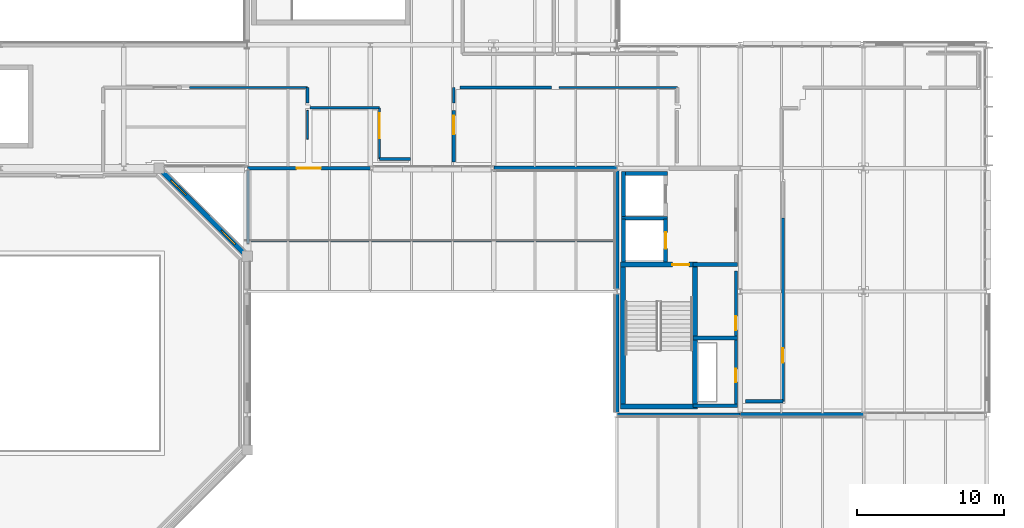
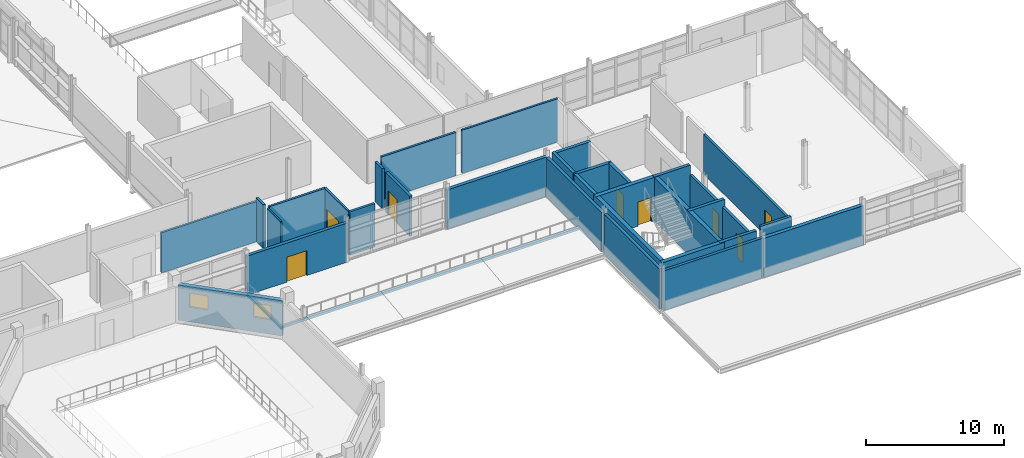
# One storey, part 121 of 151: 35 walls, 8 doors, 2 windows, 10 openings.
"""IFC4 building model written with IfcOpenShell, lengths in metres."""

import ifcopenshell
import ifcopenshell.guid

model = None  # the IFC model being written
_history = None  # IfcOwnerHistory: only IFC2X3 demands one
_inside = {}  # id of a spatial element -> (the spatial element, [elements in it])
_under = {}  # id of a project, library or spatial element -> (it, [spatial elements below it])
_declared = {}  # id of a project -> (the project, [libraries it declares])
_typed = {}  # id of a type object -> (the type object, [elements of that type])
_made_of = {}  # id of a material, layer set ... -> (it, [elements and type objects made of it])


def new_model(schema):
    """Start an empty IFC model of exactly this schema.

    Asked for "IFC4X3", IfcOpenShell would pick the latest addendum, in which some entities
    have other attributes; the version numbers below select the first issue.
    IFC2X3 requires an IfcOwnerHistory on every rooted entity: one is made here for all.
    """
    global model, _history
    if schema == "IFC4X3":
        model = ifcopenshell.file(schema_version=(4, 3, 0, 0))
    else:
        model = ifcopenshell.file(schema=schema)
    _inside.clear()
    _under.clear()
    _declared.clear()
    _typed.clear()
    _made_of.clear()
    _history = None
    if model.schema == "IFC2X3":
        org = make("IfcOrganization", Name="unknown")
        user = make(
            "IfcPersonAndOrganization",
            ThePerson=make("IfcPerson", FamilyName="unknown"),
            TheOrganization=org,
        )
        app = make(
            "IfcApplication",
            ApplicationDeveloper=org,
            Version="unknown",
            ApplicationFullName="unknown",
            ApplicationIdentifier="unknown",
        )
        _history = make(
            "IfcOwnerHistory",
            OwningUser=user,
            OwningApplication=app,
            ChangeAction="ADDED",
            CreationDate=0,
        )
    return model


def make(cls, **values):
    """One entity of the class cls with the attributes given. An attribute that is None is left unset."""
    return model.create_entity(
        cls, **{name: value for name, value in values.items() if value is not None}
    )


def rooted(cls, **values):
    """An entity with a GlobalId (a new one), such as an element, a storey or a relation."""
    return make(cls, GlobalId=ifcopenshell.guid.new(), OwnerHistory=_history, **values)


def si_unit(unit_type, name, prefix=None):
    """IfcSIUnit, for example si_unit("LENGTHUNIT", "METRE", prefix="MILLI")."""
    return make("IfcSIUnit", UnitType=unit_type, Prefix=prefix, Name=name)


def assignment(units):
    """IfcUnitAssignment: the units of a project."""
    return None if units is None else make("IfcUnitAssignment", Units=units)


def point(xyz):
    """IfcCartesianPoint."""
    return None if xyz is None else make("IfcCartesianPoint", Coordinates=xyz)


def direction(xyz):
    """IfcDirection."""
    return None if xyz is None else make("IfcDirection", DirectionRatios=xyz)


def frame(location, z_axis=None, x_axis=None):
    """IfcAxis2Placement3D, a coordinate frame: its origin and axes. An axis left out is left unset."""
    return make(
        "IfcAxis2Placement3D",
        Location=point(location),
        Axis=direction(z_axis),
        RefDirection=direction(x_axis),
    )


def frame_2d(location, x_axis=None):
    """IfcAxis2Placement2D, a coordinate frame in the plane: its origin and x axis."""
    return make(
        "IfcAxis2Placement2D", Location=point(location), RefDirection=direction(x_axis)
    )


def origin():
    """The frame at (0, 0, 0) with its axes left unset."""
    return frame((0.0, 0.0, 0.0))


def place(relative_to, where):
    """IfcLocalPlacement: puts the frame where relative to a parent placement (None: the world)."""
    return make(
        "IfcLocalPlacement", PlacementRelTo=relative_to, RelativePlacement=where
    )


def context(
    kind, dimensions, precision=None, world=None, true_north=None, identifier=None
):
    """IfcGeometricRepresentationContext, for example the 3D "Model" context."""
    return make(
        "IfcGeometricRepresentationContext",
        ContextIdentifier=identifier,
        ContextType=kind,
        CoordinateSpaceDimension=dimensions,
        Precision=precision,
        WorldCoordinateSystem=world,
        TrueNorth=true_north,
    )


def subcontext(parent, identifier, kind, view, scale=None):
    """IfcGeometricRepresentationSubContext, for example "Body" below "Model"."""
    return make(
        "IfcGeometricRepresentationSubContext",
        ContextIdentifier=identifier,
        ContextType=kind,
        ParentContext=parent,
        TargetScale=scale,
        TargetView=view,
    )


def project(units=None, contexts=None):
    """IfcProject with its units and contexts."""
    return rooted(
        "IfcProject",
        Name="project",
        RepresentationContexts=contexts,
        UnitsInContext=assignment(units),
    )


def spatial(cls, under=None, at=None, **own):
    """A site, building, storey or space (cls), placed at a placement, below another one or the project."""
    s = rooted(cls, ObjectPlacement=at, **own)
    if under is not None:
        _under.setdefault(under.id(), (under, []))[1].append(s)
    return s


def profile(cls, at=None, kind="AREA", **sizes):
    """A parametric profile (cls). Its sizes go by their IFC names, for example OverallWidth=200.0."""
    return make(cls, ProfileType=kind, Position=at, **sizes)


def rectangle(**sizes):
    """IfcRectangleProfileDef."""
    return profile("IfcRectangleProfileDef", **sizes)


def extrude(swept, where, along, depth):
    """IfcExtrudedAreaSolid: the profile swept, set in the frame where, extruded along a direction by depth."""
    return make(
        "IfcExtrudedAreaSolid",
        SweptArea=swept,
        Position=where,
        ExtrudedDirection=direction(along),
        Depth=depth,
    )


def shape(context_of_items, identifier, shape_type, items):
    """IfcShapeRepresentation: the items that make up one representation, for example the "Body"."""
    return make(
        "IfcShapeRepresentation",
        ContextOfItems=context_of_items,
        RepresentationIdentifier=identifier,
        RepresentationType=shape_type,
        Items=items,
    )


def material(Name=None, Category=None):
    """IfcMaterial."""
    return make("IfcMaterial", Name=Name, Category=Category)


def layer(
    of_material, thickness, ventilated=None, Name=None, Category=None, Priority=None
):
    """IfcMaterialLayer: one layer of a wall or slab, of a material (None: an air gap)."""
    return make(
        "IfcMaterialLayer",
        Material=of_material,
        LayerThickness=thickness,
        IsVentilated=ventilated,
        Name=Name,
        Category=Category,
        Priority=Priority,
    )


def layer_set(layers, Name=None):
    """IfcMaterialLayerSet."""
    return make("IfcMaterialLayerSet", MaterialLayers=layers, LayerSetName=Name)


def made_of(thing, what):
    """Note that an element or type object is made of a material, layer set ...; save() writes the relation."""
    if what is not None:
        _made_of.setdefault(what.id(), (what, []))[1].append(thing)
    return thing


def type_object(cls, material=None, **own):
    """A type object (cls), such as IfcWallType, which elements share."""
    return made_of(rooted(cls, **own), material)


def element(
    cls,
    number,
    at=None,
    inside=None,
    cuts=None,
    type_object=None,
    material=None,
    context=None,
    identifier="Body",
    shape_type=None,
    held_by="IfcProductDefinitionShape",
    body=None,
    shapes=None,
    **own,
):
    """One element of the class cls, such as IfcWall. Its Tag is "e" and its number.

    at: its placement. inside: the storey or other place that contains it. cuts: it is an
    opening in that element (IfcRelVoidsElement). A single representation is given by context,
    identifier, shape_type and body (its items); several are given by shapes. held_by: the class
    of the entity that holds the representations. save() writes the other relations.
    """
    e = rooted(cls, Tag="e%d" % number, ObjectPlacement=at, **own)
    if body is not None:
        shapes = [shape(context, identifier, shape_type, body)]
    if shapes is not None:
        e.Representation = make(held_by, Representations=shapes)
    if inside is not None:
        _inside.setdefault(inside.id(), (inside, []))[1].append(e)
    if cuts is not None:
        rooted(
            "IfcRelVoidsElement", RelatingBuildingElement=cuts, RelatedOpeningElement=e
        )
    if type_object is not None:
        _typed.setdefault(type_object.id(), (type_object, []))[1].append(e)
    return made_of(e, material)


def fill(opening, filler):
    """IfcRelFillsElement: the door or window that sits in an opening."""
    return rooted(
        "IfcRelFillsElement",
        RelatingOpeningElement=opening,
        RelatedBuildingElement=filler,
    )


def aggregate(whole, parts):
    """IfcRelAggregates: a whole, such as a stair, and the parts it consists of."""
    return rooted("IfcRelAggregates", RelatingObject=whole, RelatedObjects=parts)


def save(model, path):
    """Write the relations noted so far, then the file.

    IfcRelAggregates (storeys below a building ...), IfcRelContainedInSpatialStructure (elements
    in a storey), IfcRelDefinesByType, IfcRelAssociatesMaterial and IfcRelDeclares: one each for
    every whole, place, type object, material and project.
    """
    for whole, parts in _under.values():
        aggregate(whole, parts)
    for where, things in _inside.values():
        rooted(
            "IfcRelContainedInSpatialStructure",
            RelatedElements=things,
            RelatingStructure=where,
        )
    for kind, things in _typed.values():
        rooted("IfcRelDefinesByType", RelatedObjects=things, RelatingType=kind)
    for what, things in _made_of.values():
        rooted("IfcRelAssociatesMaterial", RelatedObjects=things, RelatingMaterial=what)
    for by, libraries in _declared.values():
        rooted("IfcRelDeclares", RelatingContext=by, RelatedDefinitions=libraries)
    model.write(path)


model = new_model("IFC4")

# Units and contexts
model_context = context("Model", 3, precision=1e-05, world=origin(), true_north=direction((0.0, 1.0)))
body_context = subcontext(model_context, "Body", "Model", "MODEL_VIEW")
ifc_project = project(units=[si_unit("LENGTHUNIT", "METRE"), si_unit("AREAUNIT", "SQUARE_METRE"), si_unit("VOLUMEUNIT", "CUBIC_METRE"), si_unit("PLANEANGLEUNIT", "RADIAN"), si_unit("MASSUNIT", "GRAM", prefix="KILO")], contexts=[model_context])

# Site, building, storey
site_placement = place(None, origin())
site = spatial("IfcSite", under=ifc_project, at=site_placement, CompositionType="ELEMENT")
building_placement = place(site_placement, origin())
building = spatial("IfcBuilding", under=site, at=building_placement, Name="Mersafa Astral City Hall", CompositionType="ELEMENT")
storey_placement = place(building_placement, frame((0.0, 0.0, 9.89990234375)))
storey = spatial("IfcBuildingStorey", under=building, at=storey_placement, Name="L02", CompositionType="ELEMENT", Elevation=9.89990234375)

# Wall, openings, windows
ifc_material_1 = material(Name="Concrete C40/50", Category="concrete")
ifc_layer_1 = layer(ifc_material_1, 0.340087890625, Name="Concrete C40/50")
ifc_layer_set_1 = layer_set([ifc_layer_1], Name="Concrete C40/50 — ENV-WAL-DRUM-340")
wall_type_1 = type_object("IfcWallType", Name="ENV-WAL-DRUM-340", PredefinedType="SHEAR", material=ifc_layer_set_1)
wall_1_placement = place(storey_placement, frame((92.177978515625, 19.422119140625, 0.0), z_axis=(0.0, 0.0, 1.0), x_axis=(-0.707106781187, 0.707106781187, 0.0)))
wall_1 = element("IfcWall", 1, at=wall_1_placement, inside=storey, type_object=wall_type_1, Name="L02 Limestone-clad exterior wall 162", PredefinedType="SHEAR", context=body_context, shape_type="SweptSolid", body=[
    extrude(rectangle(XDim=7.857177734375, YDim=0.340087890625, at=frame_2d((3.9287109375, 0.0))), origin(), (0.0, 0.0, 1.0), 3.132080078125),
])
opening_1_placement = place(wall_1_placement, frame((0.85009765625, 0.0, 1.300048828125)))
opening_1 = element("IfcOpeningElement", 2, at=opening_1_placement, cuts=wall_1, Name="Opening W-14", PredefinedType="OPENING", context=body_context, shape_type="SweptSolid", body=[
    extrude(rectangle(XDim=1.320068359375, YDim=1.25, at=frame_2d((0.66015625, 0.625))), frame((0.0, 0.179931640625, 0.0), z_axis=(0.0, -1.0, 0.0), x_axis=(1.0, 0.0, 0.0)), (0.0, 0.0, 1.0), 0.360107421875),
])
opening_2_placement = place(wall_1_placement, frame((5.58740234375, 0.0, 1.300048828125)))
opening_2 = element("IfcOpeningElement", 3, at=opening_2_placement, cuts=wall_1, Name="Opening W-15", PredefinedType="OPENING", context=body_context, shape_type="SweptSolid", body=[
    extrude(rectangle(XDim=1.419921875, YDim=1.25, at=frame_2d((0.7099609375, 0.625))), frame((0.0, 0.179931640625, 0.0), z_axis=(0.0, -1.0, 0.0), x_axis=(1.0, 0.0, 0.0)), (0.0, 0.0, 1.0), 0.360107421875),
])
ifc_material_2 = material(Name="Solar control low-e double glazing in bronze frame", Category="glass")
window_type_1 = type_object("IfcWindowType", Name="ENV-WIN-W-14", PartitioningType="SINGLE_PANEL", PredefinedType="WINDOW", material=ifc_material_2)
window_1_placement = place(opening_1_placement, origin())
window_1 = element("IfcWindow", 4, at=window_1_placement, inside=storey, type_object=window_type_1, Name="L02 Solar punched window 162-L", OverallHeight=1.25, OverallWidth=1.320068359375, PartitioningType="SINGLE_PANEL", PredefinedType="WINDOW", context=body_context, shape_type="SweptSolid", body=[
    extrude(rectangle(XDim=1.320068359375, YDim=1.25, at=frame_2d((0.66015625, 0.625))), frame((0.0, 0.030029296875, 0.0), z_axis=(0.0, -1.0, 0.0), x_axis=(1.0, 0.0, 0.0)), (0.0, 0.0, 1.0), 0.06005859375),
])
fill(opening_1, window_1)
window_type_2 = type_object("IfcWindowType", Name="ENV-WIN-W-15", PartitioningType="SINGLE_PANEL", PredefinedType="WINDOW", material=ifc_material_2)
window_2_placement = place(opening_2_placement, origin())
window_2 = element("IfcWindow", 5, at=window_2_placement, inside=storey, type_object=window_type_2, Name="L02 Solar punched window 162-R", OverallHeight=1.25, OverallWidth=1.419921875, PartitioningType="SINGLE_PANEL", PredefinedType="WINDOW", context=body_context, shape_type="SweptSolid", body=[
    extrude(rectangle(XDim=1.419921875, YDim=1.25, at=frame_2d((0.7099609375, 0.625))), frame((0.0, 0.030029296875, 0.0), z_axis=(0.0, -1.0, 0.0), x_axis=(1.0, 0.0, 0.0)), (0.0, 0.0, 1.0), 0.06005859375),
])
fill(opening_2, window_2)

# Walls
ifc_material_3 = material(Name="Precast concrete C40/50 insulated terracotta spandrel", Category="masonry")
ifc_layer_2 = layer(ifc_material_3, 0.235107421875, Name="Precast concrete C40/50 insulated terracotta spandrel")
ifc_layer_set_2 = layer_set([ifc_layer_2], Name="Precast concrete C40/50 insulated terracotta spandrel — ENV-WAL-EXT-235")
wall_type_2 = type_object("IfcWallType", Name="ENV-WAL-EXT-235", PredefinedType="STANDARD", material=ifc_layer_set_2)
wall_2_placement = place(storey_placement, frame((117.60791015625, 8.39990234375, 0.0), z_axis=(0.0, 0.0, 1.0), x_axis=(1.0, 0.0, 0.0)))
element("IfcWall", 6, at=wall_2_placement, inside=storey, type_object=wall_type_2, Name="L02 Limestone-clad exterior wall 167", PredefinedType="STANDARD", context=body_context, shape_type="SweptSolid", body=[
    extrude(rectangle(XDim=8.384033203125, YDim=0.235107421875, at=frame_2d((4.19189453125, 0.0))), origin(), (0.0, 0.0, 1.0), 3.502197265625),
])
ifc_layer_3 = layer(ifc_material_3, 0.25, Name="Precast concrete C40/50 insulated terracotta spandrel")
ifc_layer_set_3 = layer_set([ifc_layer_3], Name="Precast concrete C40/50 insulated terracotta spandrel — ENV-WAL-EXT-250")
wall_type_3 = type_object("IfcWallType", Name="ENV-WAL-EXT-250", PredefinedType="STANDARD", material=ifc_layer_set_3)
wall_3_placement = place(storey_placement, frame((117.60009765625, 16.6240234375, 0.0), z_axis=(0.0, 0.0, 1.0), x_axis=(0.0, -1.0, 0.0)))
element("IfcWall", 7, at=wall_3_placement, inside=storey, type_object=wall_type_3, Name="L02 Limestone-clad exterior wall 166", PredefinedType="STANDARD", context=body_context, shape_type="SweptSolid", body=[
    extrude(rectangle(XDim=8.05810546875, YDim=0.25, at=frame_2d((4.029052734375, 0.0))), origin(), (0.0, 0.0, 1.0), 3.56201171875),
])

# Wall, opening, door
ifc_material_4 = material(Name="Precast concrete C40/50 insulated limestone wall", Category="masonry")
ifc_layer_4 = layer(ifc_material_4, 0.264892578125, Name="Precast concrete C40/50 insulated limestone wall")
ifc_layer_set_4 = layer_set([ifc_layer_4], Name="Precast concrete C40/50 insulated limestone wall — ENV-WAL-EXT-265")
wall_type_4 = type_object("IfcWallType", Name="ENV-WAL-EXT-265", PredefinedType="STANDARD", material=ifc_layer_set_4)
wall_4_placement = place(storey_placement, frame((92.407958984375, 25.199951171875, 0.0), z_axis=(0.0, 0.0, 1.0), x_axis=(1.0, 0.0, 0.0)))
wall_4 = element("IfcWall", 8, at=wall_4_placement, inside=storey, type_object=wall_type_4, Name="L02 Terrace access facade wall TER-L02-V2S", PredefinedType="STANDARD", context=body_context, shape_type="SweptSolid", body=[
    extrude(rectangle(XDim=8.384033203125, YDim=0.264892578125, at=frame_2d((4.19189453125, 0.0))), origin(), (0.0, 0.0, 1.0), 3.47216796875),
])
opening_3_placement = place(wall_4_placement, frame((3.362060546875, 0.0, 0.0)))
opening_3 = element("IfcOpeningElement", 9, at=opening_3_placement, cuts=wall_4, Name="Opening TD-2", PredefinedType="OPENING", context=body_context, shape_type="SweptSolid", body=[
    extrude(rectangle(XDim=1.659912109375, YDim=2.219970703125, at=frame_2d((0.830078125, 1.10986328125))), frame((0.0, 0.142333984375, 0.0), z_axis=(0.0, -1.0, 0.0), x_axis=(1.0, 0.0, 0.0)), (0.0, 0.0, 1.0), 0.284912109375),
])
ifc_material_5 = material(Name="Anodised bronze glazed terrace door pair", Category="metal")
door_type_1 = type_object("IfcDoorType", Name="ENV-DR-TER-1660", OperationType="NOTDEFINED", PredefinedType="DOOR", material=ifc_material_5)
door_1_placement = place(opening_3_placement, origin())
door_1 = element("IfcDoor", 10, at=door_1_placement, inside=storey, type_object=door_type_1, Name="L02 Civic Roof Terrace Access Door TER-L02-V2S", OperationType="DOUBLE_DOOR_SINGLE_SWING", OverallHeight=2.219970703125, OverallWidth=1.659912109375, PredefinedType="DOOR", context=body_context, shape_type="SweptSolid", body=[
    extrude(rectangle(XDim=1.659912109375, YDim=2.219970703125, at=frame_2d((0.830078125, 1.10986328125))), frame((0.0, 0.02490234375, 0.0), z_axis=(0.0, -1.0, 0.0), x_axis=(1.0, 0.0, 0.0)), (0.0, 0.0, 1.0), 0.050048828125),
])
fill(opening_3, door_1)

# Walls
wall_5_placement = place(storey_placement, frame((117.60009765625, 25.033935546875, 0.0), z_axis=(0.0, 0.0, 1.0), x_axis=(0.0, -1.0, 0.0)))
element("IfcWall", 11, at=wall_5_placement, inside=storey, type_object=wall_type_4, Name="L02 Limestone-clad exterior wall 165", PredefinedType="STANDARD", context=body_context, shape_type="SweptSolid", body=[
    extrude(rectangle(XDim=8.057861328125, YDim=0.264892578125, at=frame_2d((4.02880859375, 0.0))), origin(), (0.0, 0.0, 1.0), 3.47216796875),
])
ifc_layer_5 = layer(ifc_material_4, 0.280029296875, Name="Precast concrete C40/50 insulated limestone wall")
ifc_layer_set_5 = layer_set([ifc_layer_5], Name="Precast concrete C40/50 insulated limestone wall — ENV-WAL-EXT-280")
wall_type_5 = type_object("IfcWallType", Name="ENV-WAL-EXT-280", PredefinedType="STANDARD", material=ifc_layer_set_5)
wall_6_placement = place(storey_placement, frame((109.2080078125, 25.199951171875, 0.0), z_axis=(0.0, 0.0, 1.0), x_axis=(1.0, 0.0, 0.0)))
element("IfcWall", 12, at=wall_6_placement, inside=storey, type_object=wall_type_5, Name="L02 Limestone-clad exterior wall 164", PredefinedType="STANDARD", context=body_context, shape_type="SweptSolid", body=[
    extrude(rectangle(XDim=8.384033203125, YDim=0.280029296875, at=frame_2d((4.19189453125, 0.0))), origin(), (0.0, 0.0, 1.0), 3.47216796875),
])
ifc_layer_6 = layer(ifc_material_4, 0.31005859375, Name="Precast concrete C40/50 insulated limestone wall")
ifc_layer_set_6 = layer_set([ifc_layer_6], Name="Precast concrete C40/50 insulated limestone wall — ENV-WAL-EXT-310")
wall_type_6 = type_object("IfcWallType", Name="ENV-WAL-EXT-310", PredefinedType="STANDARD", material=ifc_layer_set_6)
wall_7_placement = place(storey_placement, frame((126.008056640625, 8.39990234375, 0.0), z_axis=(0.0, 0.0, 1.0), x_axis=(1.0, 0.0, 0.0)))
element("IfcWall", 13, at=wall_7_placement, inside=storey, type_object=wall_type_6, Name="L02 Limestone-clad exterior wall 168", PredefinedType="STANDARD", context=body_context, shape_type="SweptSolid", body=[
    extrude(rectangle(XDim=8.384033203125, YDim=0.31005859375, at=frame_2d((4.19189453125, 0.0))), origin(), (0.0, 0.0, 1.0), 3.47216796875),
])
ifc_material_6 = material(Name="Precast concrete C40/50 parapet", Category="concrete")
ifc_layer_7 = layer(ifc_material_6, 0.199951171875, Name="Precast concrete C40/50 parapet")
ifc_layer_set_7 = layer_set([ifc_layer_7], Name="Precast concrete C40/50 parapet — ENV-WAL-PAR-200")
wall_type_7 = type_object("IfcWallType", Name="ENV-WAL-PAR-200", PredefinedType="PARAPET", material=ifc_layer_set_7)
wall_8_placement = place(storey_placement, frame((92.260009765625, 20.27001953125, 0.0), z_axis=(0.0, 0.0, 1.0), x_axis=(1.0, 0.0, 0.0)))
element("IfcWall", 14, at=wall_8_placement, inside=storey, type_object=wall_type_7, Name="L02 Terrace stone kerb parapet 1", PredefinedType="PARAPET", context=body_context, shape_type="SweptSolid", body=[
    extrude(rectangle(XDim=25.199951171875, YDim=0.199951171875, at=frame_2d((12.60009765625, 0.0))), origin(), (0.0, 0.0, 1.0), 0.22021484375),
])
wall_9_placement = place(storey_placement, frame((92.469970703125, 25.06005859375, 0.0), z_axis=(0.0, 0.0, 1.0), x_axis=(0.0, -1.0, 0.0)))
element("IfcWall", 15, at=wall_9_placement, inside=storey, type_object=wall_type_7, Name="L02 Terrace stone kerb parapet 2", PredefinedType="PARAPET", context=body_context, shape_type="SweptSolid", body=[
    extrude(rectangle(XDim=5.0, YDim=0.199951171875, at=frame_2d((2.5, 0.0))), origin(), (0.0, 0.0, 1.0), 0.22021484375),
])
ifc_layer_8 = layer(ifc_material_1, 0.260009765625, Name="Concrete C40/50")
ifc_layer_set_8 = layer_set([ifc_layer_8], Name="Concrete C40/50 — INT-WAL-CORE-260")
wall_type_8 = type_object("IfcWallType", Name="INT-WAL-CORE-260", PredefinedType="SHEAR", material=ifc_layer_set_8)
wall_10_placement = place(storey_placement, frame((117.9150390625, 21.784912109375, 0.0), z_axis=(0.0, 0.0, 1.0), x_axis=(1.0, 0.0, 0.0)))
element("IfcWall", 16, at=wall_10_placement, inside=storey, type_object=wall_type_8, Name="L02 Lift LF7 north shaft wall", PredefinedType="SHEAR", context=body_context, shape_type="SweptSolid", body=[
    extrude(rectangle(XDim=3.1298828125, YDim=0.260009765625, at=frame_2d((1.56494140625, 0.0))), origin(), (0.0, 0.0, 1.0), 3.840087890625),
])
wall_11_placement = place(storey_placement, frame((118.044921875, 18.797119140625, 0.0), z_axis=(0.0, 0.0, 1.0), x_axis=(0.0, 1.0, 0.0)))
element("IfcWall", 17, at=wall_11_placement, inside=storey, type_object=wall_type_8, Name="L02 Lift LF7 back shaft wall", PredefinedType="SHEAR", context=body_context, shape_type="SweptSolid", body=[
    extrude(rectangle(XDim=2.947998046875, YDim=0.260009765625, at=frame_2d((1.47412109375, 0.0))), origin(), (0.0, 0.0, 1.0), 3.840087890625),
])

# Wall, opening, door
wall_12_placement = place(storey_placement, frame((120.9150390625, 18.797119140625, 0.0), z_axis=(0.0, 0.0, 1.0), x_axis=(0.0, 1.0, 0.0)))
wall_12 = element("IfcWall", 18, at=wall_12_placement, inside=storey, type_object=wall_type_8, Name="L02 Lift LF7 front shaft wall", PredefinedType="SHEAR", context=body_context, shape_type="SweptSolid", body=[
    extrude(rectangle(XDim=2.947998046875, YDim=0.260009765625, at=frame_2d((1.47412109375, 0.0))), origin(), (0.0, 0.0, 1.0), 3.840087890625),
])
opening_4_placement = place(wall_12_placement, frame((0.924072265625, 0.0, 0.0)))
opening_4 = element("IfcOpeningElement", 19, at=opening_4_placement, cuts=wall_12, Name="Opening LD-1", PredefinedType="OPENING", context=body_context, shape_type="SweptSolid", body=[
    extrude(rectangle(XDim=1.10009765625, YDim=2.14990234375, at=frame_2d((0.550048828125, 1.074951171875))), frame((0.0, 0.139892578125, 0.0), z_axis=(0.0, -1.0, 0.0), x_axis=(1.0, 0.0, 0.0)), (0.0, 0.0, 1.0), 0.280029296875),
])
ifc_material_7 = material(Name="Stainless steel sliding lift landing door", Category="steel")
door_type_2 = type_object("IfcDoorType", Name="INT-DR-LIFT-LD1", OperationType="NOTDEFINED", PredefinedType="DOOR", material=ifc_material_7)
door_2_placement = place(opening_4_placement, origin())
door_2 = element("IfcDoor", 20, at=door_2_placement, inside=storey, type_object=door_type_2, Name="Elevator LF7 Sliding Landing Door L02", OperationType="DOUBLE_DOOR_SLIDING", OverallHeight=2.14990234375, OverallWidth=1.10009765625, PredefinedType="DOOR", context=body_context, shape_type="SweptSolid", body=[
    extrude(rectangle(XDim=1.10009765625, YDim=2.14990234375, at=frame_2d((0.550048828125, 1.074951171875))), frame((0.0, 0.02490234375, 0.0), z_axis=(0.0, -1.0, 0.0), x_axis=(1.0, 0.0, 0.0)), (0.0, 0.0, 1.0), 0.050048828125),
])
fill(opening_4, door_2)

# Walls
wall_13_placement = place(storey_placement, frame((117.9150390625, 24.8349609375, 0.0), z_axis=(0.0, 0.0, 1.0), x_axis=(1.0, 0.0, 0.0)))
element("IfcWall", 21, at=wall_13_placement, inside=storey, type_object=wall_type_8, Name="L02 Lift LF10 north shaft wall", PredefinedType="SHEAR", context=body_context, shape_type="SweptSolid", body=[
    extrude(rectangle(XDim=3.1298828125, YDim=0.260009765625, at=frame_2d((1.56494140625, 0.0))), origin(), (0.0, 0.0, 1.0), 3.840087890625),
])
wall_14_placement = place(storey_placement, frame((118.044921875, 21.905029296875, 0.0), z_axis=(0.0, 0.0, 1.0), x_axis=(0.0, 1.0, 0.0)))
element("IfcWall", 22, at=wall_14_placement, inside=storey, type_object=wall_type_8, Name="L02 Lift LF10 back shaft wall", PredefinedType="SHEAR", context=body_context, shape_type="SweptSolid", body=[
    extrude(rectangle(XDim=3.06005859375, YDim=0.260009765625, at=frame_2d((1.530029296875, 0.0))), origin(), (0.0, 0.0, 1.0), 3.840087890625),
])
for number, where, z_axis, x_axis, name in (
    (23, (122.764892578125, 9.02001953125, 0.0), (0.0, 0.0, 1.0), (1.0, 0.0, 0.0), "L02 Core K5 riser south wall"),
    (24, (122.764892578125, 13.635009765625, 0.0), (0.0, 0.0, 1.0), (1.0, 0.0, 0.0), "L02 Core K5 riser-restroom divider wall"),
    (25, (122.764892578125, 18.635009765625, 0.0), (0.0, 0.0, 1.0), (1.0, 0.0, 0.0), "L02 Core K5 restroom-lobby divider wall"),
):
    element("IfcWall", number, at=place(storey_placement, frame(where, z_axis=z_axis, x_axis=x_axis)), inside=storey, type_object=wall_type_8, Name=name, PredefinedType="SHEAR", context=body_context, shape_type="SweptSolid", body=[
        extrude(rectangle(XDim=3.03515625, YDim=0.260009765625, at=frame_2d((1.517578125, 0.0))), origin(), (0.0, 0.0, 1.0), 3.840087890625),
    ])
ifc_layer_9 = layer(ifc_material_1, 0.340087890625, Name="Concrete C40/50")
ifc_layer_set_9 = layer_set([ifc_layer_9], Name="Concrete C40/50 — INT-WAL-CORE-340")
wall_type_9 = type_object("IfcWallType", Name="INT-WAL-CORE-340", PredefinedType="SHEAR", material=ifc_layer_set_9)
for number, where, z_axis, x_axis, name in (
    (26, (118.0048828125, 8.804931640625, 0.0), (0.0, 0.0, 1.0), (0.0, 1.0, 0.0), "L02 Core K5 stair west shear wall"),
    (27, (122.9150390625, 8.804931640625, 0.0), (0.0, 0.0, 1.0), (0.0, 1.0, 0.0), "L02 Core K5 stair east shear wall"),
):
    element("IfcWall", number, at=place(storey_placement, frame(where, z_axis=z_axis, x_axis=x_axis)), inside=storey, type_object=wall_type_9, Name=name, PredefinedType="SHEAR", context=body_context, shape_type="SweptSolid", body=[
        extrude(rectangle(XDim=9.989990234375, YDim=0.340087890625, at=frame_2d((4.9951171875, 0.0))), origin(), (0.0, 0.0, 1.0), 3.840087890625),
    ])
wall_15_placement = place(storey_placement, frame((117.8349609375, 8.97509765625, 0.0), z_axis=(0.0, 0.0, 1.0), x_axis=(1.0, 0.0, 0.0)))
element("IfcWall", 28, at=wall_15_placement, inside=storey, type_object=wall_type_9, Name="L02 Core K5 stair south shear wall", PredefinedType="SHEAR", context=body_context, shape_type="SweptSolid", body=[
    extrude(rectangle(XDim=5.25, YDim=0.340087890625, at=frame_2d((2.625, 0.0))), origin(), (0.0, 0.0, 1.0), 3.840087890625),
])

# Wall, opening, door
wall_16_placement = place(storey_placement, frame((117.8349609375, 18.625, 0.0), z_axis=(0.0, 0.0, 1.0), x_axis=(1.0, 0.0, 0.0)))
wall_16 = element("IfcWall", 29, at=wall_16_placement, inside=storey, type_object=wall_type_9, Name="L02 Core K5 stair-lobby fire wall", PredefinedType="SHEAR", context=body_context, shape_type="SweptSolid", body=[
    extrude(rectangle(XDim=5.25, YDim=0.340087890625, at=frame_2d((2.625, 0.0))), origin(), (0.0, 0.0, 1.0), 3.840087890625),
])
opening_5_placement = place(wall_16_placement, frame((3.534912109375, 0.0, 0.0)))
opening_5 = element("IfcOpeningElement", 30, at=opening_5_placement, cuts=wall_16, Name="Opening CD-1", PredefinedType="OPENING", context=body_context, shape_type="SweptSolid", body=[
    extrude(rectangle(XDim=1.14990234375, YDim=2.14990234375, at=frame_2d((0.574951171875, 1.074951171875))), frame((0.0, 0.179931640625, 0.0), z_axis=(0.0, -1.0, 0.0), x_axis=(1.0, 0.0, 0.0)), (0.0, 0.0, 1.0), 0.360107421875),
])
ifc_material_8 = material(Name="Fire-rated steel stair door", Category="steel")
door_type_3 = type_object("IfcDoorType", Name="INT-DR-STAIR-FD90-1150", OperationType="NOTDEFINED", PredefinedType="DOOR", material=ifc_material_8)
door_3_placement = place(opening_5_placement, origin())
door_3 = element("IfcDoor", 31, at=door_3_placement, inside=storey, type_object=door_type_3, Name="L02 Protected Stair ST5 Door", OperationType="SINGLE_SWING_LEFT", OverallHeight=2.14990234375, OverallWidth=1.14990234375, PredefinedType="DOOR", context=body_context, shape_type="SweptSolid", body=[
    extrude(rectangle(XDim=1.14990234375, YDim=2.14990234375, at=frame_2d((0.574951171875, 1.074951171875))), frame((0.0, 0.02490234375, 0.0), z_axis=(0.0, -1.0, 0.0), x_axis=(1.0, 0.0, 0.0)), (0.0, 0.0, 1.0), 0.050048828125),
])
fill(opening_5, door_3)

# Walls
ifc_material_9 = material(Name="Acoustic steel-stud gypsum partition", Category="steel")
ifc_layer_10 = layer(ifc_material_9, 0.1201171875, Name="Acoustic steel-stud gypsum partition")
ifc_layer_set_10 = layer_set([ifc_layer_10], Name="Acoustic steel-stud gypsum partition — INT-WAL-PART-EI30-120")
wall_type_10 = type_object("IfcWallType", Name="INT-WAL-PART-EI30-120", PredefinedType="STANDARD", material=ifc_layer_set_10)
wall_17_placement = place(storey_placement, frame((96.510009765625, 29.139892578125, -0.00390625), z_axis=(0.0, 0.0, 1.0), x_axis=(0.0, -1.0, 0.0)))
element("IfcWall", 32, at=wall_17_placement, inside=storey, type_object=wall_type_10, Name="L02 Interior partition wall 527", PredefinedType="STANDARD", context=body_context, shape_type="SweptSolid", body=[
    extrude(rectangle(XDim=1.96435546875, YDim=0.1201171875, at=frame_2d((0.982177734375, 0.0))), origin(), (0.0, 0.0, 1.0), 3.843994140625),
])
ifc_material_10 = material(Name="Fire-rated gypsum stud partition", Category="gypsum")
ifc_layer_11 = layer(ifc_material_10, 0.1650390625, Name="Fire-rated gypsum stud partition")
ifc_layer_set_11 = layer_set([ifc_layer_11], Name="Fire-rated gypsum stud partition — INT-WAL-PART-EI60-165")
wall_type_11 = type_object("IfcWallType", Name="INT-WAL-PART-EI60-165", PredefinedType="STANDARD", material=ifc_layer_set_11)
wall_18_placement = place(storey_placement, frame((113.659912109375, 30.699951171875, -0.00390625), z_axis=(0.0, 0.0, 1.0), x_axis=(1.0, 0.0, 0.0)))
element("IfcWall", 33, at=wall_18_placement, inside=storey, type_object=wall_type_11, Name="L02 Interior partition wall 511", PredefinedType="STANDARD", context=body_context, shape_type="SweptSolid", body=[
    extrude(rectangle(XDim=8.050048828125, YDim=0.1650390625, at=frame_2d((4.02490234375, 0.0))), origin(), (0.0, 0.0, 1.0), 3.843994140625),
])
wall_19_placement = place(storey_placement, frame((88.4599609375, 30.699951171875, -0.00390625), z_axis=(0.0, 0.0, 1.0), x_axis=(1.0, 0.0, 0.0)))
element("IfcWall", 34, at=wall_19_placement, inside=storey, type_object=wall_type_11, Name="L02 Interior partition wall 531", PredefinedType="STANDARD", context=body_context, shape_type="SweptSolid", body=[
    extrude(rectangle(XDim=8.050048828125, YDim=0.1650390625, at=frame_2d((4.02490234375, 0.0))), origin(), (0.0, 0.0, 1.0), 3.56591796875),
])

# Wall, opening, door
wall_20_placement = place(storey_placement, frame((101.419921875, 29.31005859375, -0.00390625), z_axis=(0.0, 0.0, 1.0), x_axis=(0.0, -1.0, 0.0)))
wall_20 = element("IfcWall", 35, at=wall_20_placement, inside=storey, type_object=wall_type_11, Name="L02 Interior partition wall 535", PredefinedType="STANDARD", context=body_context, shape_type="SweptSolid", body=[
    extrude(rectangle(XDim=3.489990234375, YDim=0.1650390625, at=frame_2d((1.7451171875, 0.0))), origin(), (0.0, 0.0, 1.0), 3.843994140625),
])
opening_6_placement = place(wall_20_placement, frame((0.360107421875, 0.0, 0.0)))
opening_6 = element("IfcOpeningElement", 36, at=opening_6_placement, cuts=wall_20, Name="Opening D-18", PredefinedType="OPENING", context=body_context, shape_type="SweptSolid", body=[
    extrude(rectangle(XDim=1.719970703125, YDim=2.139892578125, at=frame_2d((0.85986328125, 1.06982421875))), frame((0.0, 0.092529296875, 0.0), z_axis=(0.0, -1.0, 0.0), x_axis=(1.0, 0.0, 0.0)), (0.0, 0.0, 1.0), 0.18505859375),
])
ifc_material_11 = material(Name="Cedar veneered acoustic fire-rated timber door", Category="wood")
door_type_4 = type_object("IfcDoorType", Name="INT-DR-RM-D-18", OperationType="NOTDEFINED", PredefinedType="DOOR", material=ifc_material_11)
door_4_placement = place(opening_6_placement, origin())
door_4 = element("IfcDoor", 37, at=door_4_placement, inside=storey, type_object=door_type_4, Name="L02 Library Stack L02-32 Entrance Door", OperationType="SINGLE_SWING_RIGHT", OverallHeight=2.139892578125, OverallWidth=1.719970703125, PredefinedType="DOOR", context=body_context, shape_type="SweptSolid", body=[
    extrude(rectangle(XDim=1.719970703125, YDim=2.139892578125, at=frame_2d((0.85986328125, 1.06982421875))), frame((0.0, 0.02490234375, 0.0), z_axis=(0.0, -1.0, 0.0), x_axis=(1.0, 0.0, 0.0)), (0.0, 0.0, 1.0), 0.050048828125),
])
fill(opening_6, door_4)

# Walls
ifc_material_12 = material(Name="Acoustic twin-stud gypsum partition", Category="gypsum")
ifc_layer_12 = layer(ifc_material_12, 0.179931640625, Name="Acoustic twin-stud gypsum partition")
ifc_layer_set_12 = layer_set([ifc_layer_12], Name="Acoustic twin-stud gypsum partition — INT-WAL-PART-EI60-180")
wall_type_12 = type_object("IfcWallType", Name="INT-WAL-PART-EI60-180", PredefinedType="STANDARD", material=ifc_layer_set_12)
wall_21_placement = place(storey_placement, frame((106.89990234375, 30.699951171875, -0.00390625), z_axis=(0.0, 0.0, 1.0), x_axis=(1.0, 0.0, 0.0)))
element("IfcWall", 38, at=wall_21_placement, inside=storey, type_object=wall_type_12, Name="L02 Interior partition wall 510", PredefinedType="STANDARD", context=body_context, shape_type="SweptSolid", body=[
    extrude(rectangle(XDim=6.239990234375, YDim=0.179931640625, at=frame_2d((3.1201171875, 0.0))), origin(), (0.0, 0.0, 1.0), 3.843994140625),
])
wall_22_placement = place(storey_placement, frame((96.68994140625, 29.31005859375, -0.00390625), z_axis=(0.0, 0.0, 1.0), x_axis=(1.0, 0.0, 0.0)))
element("IfcWall", 39, at=wall_22_placement, inside=storey, type_object=wall_type_12, Name="L02 Interior partition wall 534", PredefinedType="STANDARD", context=body_context, shape_type="SweptSolid", body=[
    extrude(rectangle(XDim=4.72998046875, YDim=0.179931640625, at=frame_2d((2.364990234375, 0.0))), origin(), (0.0, 0.0, 1.0), 3.843994140625),
])
ifc_layer_13 = layer(ifc_material_12, 0.195068359375, Name="Acoustic twin-stud gypsum partition")
ifc_layer_set_13 = layer_set([ifc_layer_13], Name="Acoustic twin-stud gypsum partition — INT-WAL-PART-EI60-195")
wall_type_13 = type_object("IfcWallType", Name="INT-WAL-PART-EI60-195", PredefinedType="STANDARD", material=ifc_layer_set_13)
wall_23_placement = place(storey_placement, frame((106.47998046875, 29.659912109375, -0.00390625), z_axis=(0.0, 0.0, 1.0), x_axis=(0.0, 1.0, 0.0)))
element("IfcWall", 40, at=wall_23_placement, inside=storey, type_object=wall_type_13, Name="L02 Interior partition wall 509", PredefinedType="STANDARD", context=body_context, shape_type="SweptSolid", body=[
    extrude(rectangle(XDim=1.0400390625, YDim=0.195068359375, at=frame_2d((0.52001953125, 0.0))), origin(), (0.0, 0.0, 1.0), 3.56591796875),
])
wall_24_placement = place(storey_placement, frame((101.419921875, 25.820068359375, -0.00390625), z_axis=(0.0, 0.0, 1.0), x_axis=(1.0, 0.0, 0.0)))
element("IfcWall", 41, at=wall_24_placement, inside=storey, type_object=wall_type_13, Name="L02 Interior partition wall 533", PredefinedType="STANDARD", context=body_context, shape_type="SweptSolid", body=[
    extrude(rectangle(XDim=2.10009765625, YDim=0.195068359375, at=frame_2d((1.050048828125, 0.0))), origin(), (0.0, 0.0, 1.0), 3.843994140625),
])

# Wall, opening, door
wall_25_placement = place(storey_placement, frame((128.89990234375, 9.320068359375, -0.00390625), z_axis=(0.0, 0.0, 1.0), x_axis=(0.0, 1.0, 0.0)))
wall_25 = element("IfcWall", 42, at=wall_25_placement, inside=storey, type_object=wall_type_13, Name="L02 Interior partition wall 545", PredefinedType="STANDARD", context=body_context, shape_type="SweptSolid", body=[
    extrude(rectangle(XDim=12.479248046875, YDim=0.195068359375, at=frame_2d((6.23974609375, 0.0))), origin(), (0.0, 0.0, 1.0), 3.535888671875),
])
opening_7_placement = place(wall_25_placement, frame((2.6298828125, 0.0, 0.0)))
opening_7 = element("IfcOpeningElement", 43, at=opening_7_placement, cuts=wall_25, Name="Opening D-20", PredefinedType="OPENING", context=body_context, shape_type="SweptSolid", body=[
    extrude(rectangle(XDim=0.97998046875, YDim=2.219970703125, at=frame_2d((0.489990234375, 1.10986328125))), frame((0.0, 0.107421875, 0.0), z_axis=(0.0, -1.0, 0.0), x_axis=(1.0, 0.0, 0.0)), (0.0, 0.0, 1.0), 0.215087890625),
])
door_type_5 = type_object("IfcDoorType", Name="INT-DR-RM-D-20", OperationType="NOTDEFINED", PredefinedType="DOOR", material=ifc_material_11)
door_5_placement = place(opening_7_placement, origin())
door_5 = element("IfcDoor", 44, at=door_5_placement, inside=storey, type_object=door_type_5, Name="L02 Urban Planning Studio L02-34 Entrance Door", OperationType="SINGLE_SWING_RIGHT", OverallHeight=2.219970703125, OverallWidth=0.97998046875, PredefinedType="DOOR", context=body_context, shape_type="SweptSolid", body=[
    extrude(rectangle(XDim=0.97998046875, YDim=2.219970703125, at=frame_2d((0.489990234375, 1.10986328125))), frame((0.0, 0.02490234375, 0.0), z_axis=(0.0, -1.0, 0.0), x_axis=(1.0, 0.0, 0.0)), (0.0, 0.0, 1.0), 0.050048828125),
])
fill(opening_7, door_5)

ifc_material_13 = material(Name="Autoclaved aerated concrete blockwork plastered", Category="masonry")
ifc_layer_14 = layer(ifc_material_13, 0.2099609375, Name="Autoclaved aerated concrete blockwork plastered")
ifc_layer_set_14 = layer_set([ifc_layer_14], Name="Autoclaved aerated concrete blockwork plastered — INT-WAL-PART-EI60-210")
wall_type_14 = type_object("IfcWallType", Name="INT-WAL-PART-EI60-210", PredefinedType="STANDARD", material=ifc_layer_set_14)
wall_26_placement = place(storey_placement, frame((125.699951171875, 9.02001953125, 0.0), z_axis=(0.0, 0.0, 1.0), x_axis=(0.0, 1.0, 0.0)))
wall_26 = element("IfcWall", 45, at=wall_26_placement, inside=storey, type_object=wall_type_14, Name="L02 Core K5 riser corridor partition", PredefinedType="STANDARD", context=body_context, shape_type="SweptSolid", body=[
    extrude(rectangle(XDim=4.590087890625, YDim=0.2099609375, at=frame_2d((2.294921875, 0.0))), origin(), (0.0, 0.0, 1.0), 3.232177734375),
])
opening_8_placement = place(wall_26_placement, frame((1.60009765625, 0.0, 0.0)))
opening_8 = element("IfcOpeningElement", 46, at=opening_8_placement, cuts=wall_26, Name="Opening CD-5", PredefinedType="OPENING", context=body_context, shape_type="SweptSolid", body=[
    extrude(rectangle(XDim=0.89990234375, YDim=2.10009765625, at=frame_2d((0.449951171875, 1.050048828125))), frame((0.0, 0.114990234375, 0.0), z_axis=(0.0, -1.0, 0.0), x_axis=(1.0, 0.0, 0.0)), (0.0, 0.0, 1.0), 0.22998046875),
])
ifc_material_14 = material(Name="Fire-rated steel riser access door", Category="steel")
door_type_6 = type_object("IfcDoorType", Name="INT-DR-RISER-FD60-900", OperationType="NOTDEFINED", PredefinedType="DOOR", material=ifc_material_14)
door_6_placement = place(opening_8_placement, origin())
door_6 = element("IfcDoor", 47, at=door_6_placement, inside=storey, type_object=door_type_6, Name="L02 K5 MEP Riser Access Door", OperationType="SINGLE_SWING_RIGHT", OverallHeight=2.10009765625, OverallWidth=0.89990234375, PredefinedType="DOOR", context=body_context, shape_type="SweptSolid", body=[
    extrude(rectangle(XDim=0.89990234375, YDim=2.10009765625, at=frame_2d((0.449951171875, 1.050048828125))), frame((0.0, 0.02490234375, 0.0), z_axis=(0.0, -1.0, 0.0), x_axis=(1.0, 0.0, 0.0)), (0.0, 0.0, 1.0), 0.050048828125),
])
fill(opening_8, door_6)

wall_27_placement = place(storey_placement, frame((125.699951171875, 13.719970703125, 0.0), z_axis=(0.0, 0.0, 1.0), x_axis=(0.0, 1.0, 0.0)))
wall_27 = element("IfcWall", 48, at=wall_27_placement, inside=storey, type_object=wall_type_14, Name="L02 Core K5 accessible WC corridor partition", PredefinedType="STANDARD", context=body_context, shape_type="SweptSolid", body=[
    extrude(rectangle(XDim=4.47998046875, YDim=0.2099609375, at=frame_2d((2.239990234375, 0.0))), origin(), (0.0, 0.0, 1.0), 3.232177734375),
])
opening_9_placement = place(wall_27_placement, frame((0.449951171875, 0.0, 0.0)))
opening_9 = element("IfcOpeningElement", 49, at=opening_9_placement, cuts=wall_27, Name="Opening CD-4", PredefinedType="OPENING", context=body_context, shape_type="SweptSolid", body=[
    extrude(rectangle(XDim=0.949951171875, YDim=2.14990234375, at=frame_2d((0.47509765625, 1.074951171875))), frame((0.0, 0.114990234375, 0.0), z_axis=(0.0, -1.0, 0.0), x_axis=(1.0, 0.0, 0.0)), (0.0, 0.0, 1.0), 0.22998046875),
])
ifc_material_15 = material(Name="Accessible timber acoustic WC door", Category="wood")
door_type_7 = type_object("IfcDoorType", Name="INT-DR-WC-FD30-950", OperationType="NOTDEFINED", PredefinedType="DOOR", material=ifc_material_15)
door_7_placement = place(opening_9_placement, origin())
door_7 = element("IfcDoor", 50, at=door_7_placement, inside=storey, type_object=door_type_7, Name="L02 K5 Accessible Restroom Door", OperationType="SINGLE_SWING_LEFT", OverallHeight=2.14990234375, OverallWidth=0.949951171875, PredefinedType="DOOR", context=body_context, shape_type="SweptSolid", body=[
    extrude(rectangle(XDim=0.949951171875, YDim=2.14990234375, at=frame_2d((0.47509765625, 1.074951171875))), frame((0.0, 0.02490234375, 0.0), z_axis=(0.0, -1.0, 0.0), x_axis=(1.0, 0.0, 0.0)), (0.0, 0.0, 1.0), 0.050048828125),
])
fill(opening_9, door_7)

wall_28_placement = place(storey_placement, frame((106.47998046875, 25.6201171875, -0.00390625), z_axis=(0.0, 0.0, 1.0), x_axis=(0.0, 1.0, 0.0)))
wall_28 = element("IfcWall", 51, at=wall_28_placement, inside=storey, type_object=wall_type_14, Name="L02 Interior partition wall 508", PredefinedType="STANDARD", context=body_context, shape_type="SweptSolid", body=[
    extrude(rectangle(XDim=3.519775390625, YDim=0.2099609375, at=frame_2d((1.759765625, 0.0))), origin(), (0.0, 0.0, 1.0), 3.56591796875),
])
opening_10_placement = place(wall_28_placement, frame((1.8798828125, 0.0, 0.0)))
opening_10 = element("IfcOpeningElement", 52, at=opening_10_placement, cuts=wall_28, Name="Opening D-15", PredefinedType="OPENING", context=body_context, shape_type="SweptSolid", body=[
    extrude(rectangle(XDim=1.280029296875, YDim=2.139892578125, at=frame_2d((0.64013671875, 1.06982421875))), frame((0.0, 0.114990234375, 0.0), z_axis=(0.0, -1.0, 0.0), x_axis=(1.0, 0.0, 0.0)), (0.0, 0.0, 1.0), 0.22998046875),
])
door_type_8 = type_object("IfcDoorType", Name="INT-DR-RM-D-15", OperationType="NOTDEFINED", PredefinedType="DOOR", material=ifc_material_11)
door_8_placement = place(opening_10_placement, origin())
door_8 = element("IfcDoor", 53, at=door_8_placement, inside=storey, type_object=door_type_8, Name="L02 Press Gallery L02-29 Entrance Door", OperationType="SINGLE_SWING_LEFT", OverallHeight=2.139892578125, OverallWidth=1.280029296875, PredefinedType="DOOR", context=body_context, shape_type="SweptSolid", body=[
    extrude(rectangle(XDim=1.280029296875, YDim=2.139892578125, at=frame_2d((0.64013671875, 1.06982421875))), frame((0.0, 0.02490234375, 0.0), z_axis=(0.0, -1.0, 0.0), x_axis=(1.0, 0.0, 0.0)), (0.0, 0.0, 1.0), 0.050048828125),
])
fill(opening_10, door_8)

# Walls
wall_29_placement = place(storey_placement, frame((96.510009765625, 30.699951171875, -0.00390625), z_axis=(0.0, 0.0, 1.0), x_axis=(0.0, -1.0, 0.0)))
element("IfcWall", 54, at=wall_29_placement, inside=storey, type_object=wall_type_14, Name="L02 Interior partition wall 532", PredefinedType="STANDARD", context=body_context, shape_type="SweptSolid", body=[
    extrude(rectangle(XDim=1.0400390625, YDim=0.2099609375, at=frame_2d((0.52001953125, 0.0))), origin(), (0.0, 0.0, 1.0), 3.843994140625),
])
wall_30_placement = place(storey_placement, frame((126.340087890625, 9.320068359375, -0.00390625), z_axis=(0.0, 0.0, 1.0), x_axis=(1.0, 0.0, 0.0)))
element("IfcWall", 55, at=wall_30_placement, inside=storey, type_object=wall_type_14, Name="L02 Interior partition wall 544", PredefinedType="STANDARD", context=body_context, shape_type="SweptSolid", body=[
    extrude(rectangle(XDim=2.559814453125, YDim=0.2099609375, at=frame_2d((1.27978515625, 0.0))), origin(), (0.0, 0.0, 1.0), 3.843994140625),
])

save(model, "model.ifc")
